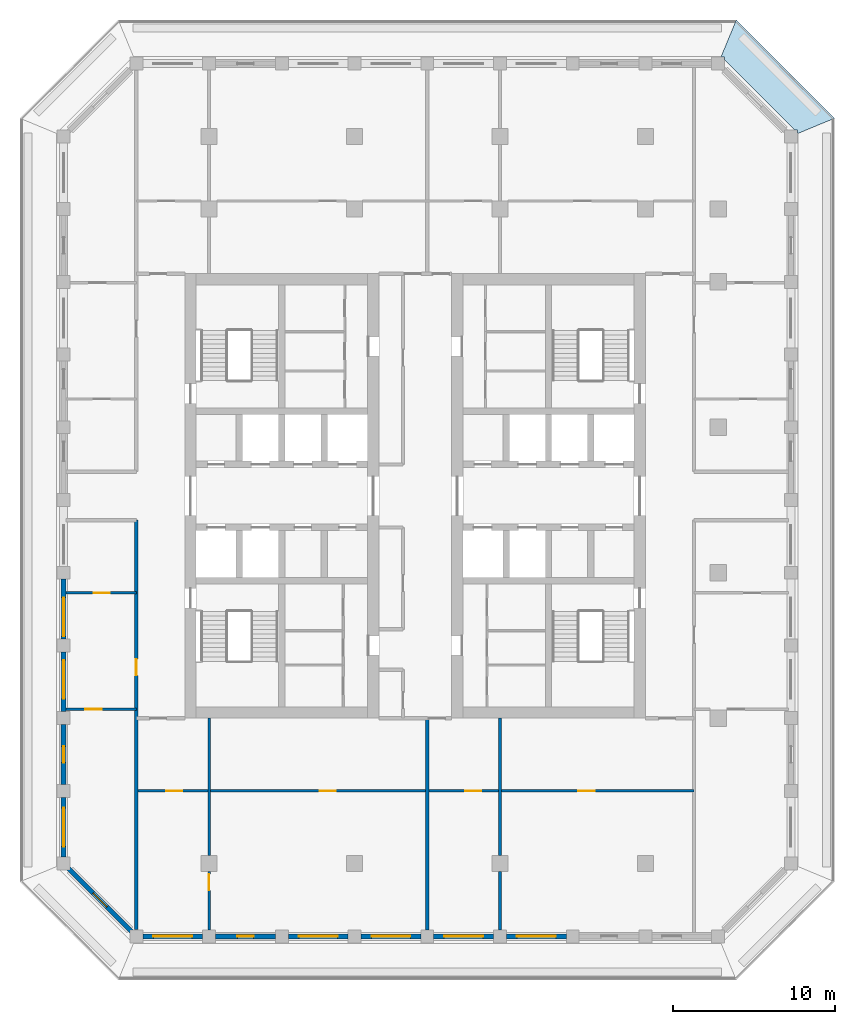
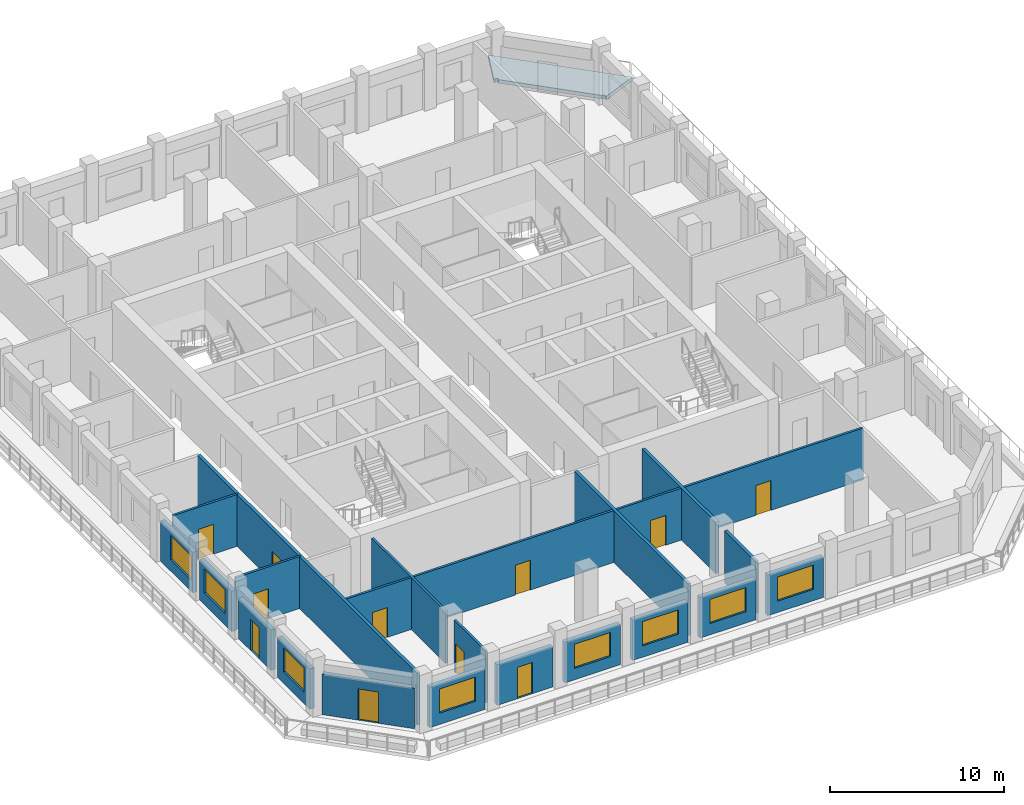
# One storey, part 2 of 17: 20 walls, 11 doors, 8 windows, 1 slab, 19 openings.
"""IFC4 building model written with IfcOpenShell, lengths in metres."""

import ifcopenshell
import ifcopenshell.guid

model = None  # the IFC model being written
_history = None  # IfcOwnerHistory: only IFC2X3 demands one
_inside = {}  # id of a spatial element -> (the spatial element, [elements in it])
_under = {}  # id of a project, library or spatial element -> (it, [spatial elements below it])
_declared = {}  # id of a project -> (the project, [libraries it declares])
_typed = {}  # id of a type object -> (the type object, [elements of that type])
_made_of = {}  # id of a material, layer set ... -> (it, [elements and type objects made of it])


def new_model(schema):
    """Start an empty IFC model of exactly this schema.

    Asked for "IFC4X3", IfcOpenShell would pick the latest addendum, in which some entities
    have other attributes; the version numbers below select the first issue.
    IFC2X3 requires an IfcOwnerHistory on every rooted entity: one is made here for all.
    """
    global model, _history
    if schema == "IFC4X3":
        model = ifcopenshell.file(schema_version=(4, 3, 0, 0))
    else:
        model = ifcopenshell.file(schema=schema)
    _inside.clear()
    _under.clear()
    _declared.clear()
    _typed.clear()
    _made_of.clear()
    _history = None
    if model.schema == "IFC2X3":
        org = make("IfcOrganization", Name="unknown")
        user = make(
            "IfcPersonAndOrganization",
            ThePerson=make("IfcPerson", FamilyName="unknown"),
            TheOrganization=org,
        )
        app = make(
            "IfcApplication",
            ApplicationDeveloper=org,
            Version="unknown",
            ApplicationFullName="unknown",
            ApplicationIdentifier="unknown",
        )
        _history = make(
            "IfcOwnerHistory",
            OwningUser=user,
            OwningApplication=app,
            ChangeAction="ADDED",
            CreationDate=0,
        )
    return model


def make(cls, **values):
    """One entity of the class cls with the attributes given. An attribute that is None is left unset."""
    return model.create_entity(
        cls, **{name: value for name, value in values.items() if value is not None}
    )


def rooted(cls, **values):
    """An entity with a GlobalId (a new one), such as an element, a storey or a relation."""
    return make(cls, GlobalId=ifcopenshell.guid.new(), OwnerHistory=_history, **values)


def si_unit(unit_type, name, prefix=None):
    """IfcSIUnit, for example si_unit("LENGTHUNIT", "METRE", prefix="MILLI")."""
    return make("IfcSIUnit", UnitType=unit_type, Prefix=prefix, Name=name)


def assignment(units):
    """IfcUnitAssignment: the units of a project."""
    return None if units is None else make("IfcUnitAssignment", Units=units)


def point(xyz):
    """IfcCartesianPoint."""
    return None if xyz is None else make("IfcCartesianPoint", Coordinates=xyz)


def direction(xyz):
    """IfcDirection."""
    return None if xyz is None else make("IfcDirection", DirectionRatios=xyz)


def frame(location, z_axis=None, x_axis=None):
    """IfcAxis2Placement3D, a coordinate frame: its origin and axes. An axis left out is left unset."""
    return make(
        "IfcAxis2Placement3D",
        Location=point(location),
        Axis=direction(z_axis),
        RefDirection=direction(x_axis),
    )


def frame_2d(location, x_axis=None):
    """IfcAxis2Placement2D, a coordinate frame in the plane: its origin and x axis."""
    return make(
        "IfcAxis2Placement2D", Location=point(location), RefDirection=direction(x_axis)
    )


def origin():
    """The frame at (0, 0, 0) with its axes left unset."""
    return frame((0.0, 0.0, 0.0))


def place(relative_to, where):
    """IfcLocalPlacement: puts the frame where relative to a parent placement (None: the world)."""
    return make(
        "IfcLocalPlacement", PlacementRelTo=relative_to, RelativePlacement=where
    )


def context(
    kind, dimensions, precision=None, world=None, true_north=None, identifier=None
):
    """IfcGeometricRepresentationContext, for example the 3D "Model" context."""
    return make(
        "IfcGeometricRepresentationContext",
        ContextIdentifier=identifier,
        ContextType=kind,
        CoordinateSpaceDimension=dimensions,
        Precision=precision,
        WorldCoordinateSystem=world,
        TrueNorth=true_north,
    )


def subcontext(parent, identifier, kind, view, scale=None):
    """IfcGeometricRepresentationSubContext, for example "Body" below "Model"."""
    return make(
        "IfcGeometricRepresentationSubContext",
        ContextIdentifier=identifier,
        ContextType=kind,
        ParentContext=parent,
        TargetScale=scale,
        TargetView=view,
    )


def project(units=None, contexts=None):
    """IfcProject with its units and contexts."""
    return rooted(
        "IfcProject",
        Name="project",
        RepresentationContexts=contexts,
        UnitsInContext=assignment(units),
    )


def spatial(cls, under=None, at=None, **own):
    """A site, building, storey or space (cls), placed at a placement, below another one or the project."""
    s = rooted(cls, ObjectPlacement=at, **own)
    if under is not None:
        _under.setdefault(under.id(), (under, []))[1].append(s)
    return s


def polyline(points):
    """IfcPolyline through the points."""
    return make("IfcPolyline", Points=[point(p) for p in points])


def profile(cls, at=None, kind="AREA", **sizes):
    """A parametric profile (cls). Its sizes go by their IFC names, for example OverallWidth=200.0."""
    return make(cls, ProfileType=kind, Position=at, **sizes)


def rectangle(**sizes):
    """IfcRectangleProfileDef."""
    return profile("IfcRectangleProfileDef", **sizes)


def outline(outer, holes=None, kind="AREA"):
    """IfcArbitraryClosedProfileDef: a profile drawn as a closed curve; with holes, ...WithVoids."""
    if holes is None:
        return make("IfcArbitraryClosedProfileDef", ProfileType=kind, OuterCurve=outer)
    return make(
        "IfcArbitraryProfileDefWithVoids",
        ProfileType=kind,
        OuterCurve=outer,
        InnerCurves=holes,
    )


def extrude(swept, where, along, depth):
    """IfcExtrudedAreaSolid: the profile swept, set in the frame where, extruded along a direction by depth."""
    return make(
        "IfcExtrudedAreaSolid",
        SweptArea=swept,
        Position=where,
        ExtrudedDirection=direction(along),
        Depth=depth,
    )


def shape(context_of_items, identifier, shape_type, items):
    """IfcShapeRepresentation: the items that make up one representation, for example the "Body"."""
    return make(
        "IfcShapeRepresentation",
        ContextOfItems=context_of_items,
        RepresentationIdentifier=identifier,
        RepresentationType=shape_type,
        Items=items,
    )


def material(Name=None, Category=None):
    """IfcMaterial."""
    return make("IfcMaterial", Name=Name, Category=Category)


def layer(
    of_material, thickness, ventilated=None, Name=None, Category=None, Priority=None
):
    """IfcMaterialLayer: one layer of a wall or slab, of a material (None: an air gap)."""
    return make(
        "IfcMaterialLayer",
        Material=of_material,
        LayerThickness=thickness,
        IsVentilated=ventilated,
        Name=Name,
        Category=Category,
        Priority=Priority,
    )


def layer_set(layers, Name=None):
    """IfcMaterialLayerSet."""
    return make("IfcMaterialLayerSet", MaterialLayers=layers, LayerSetName=Name)


def made_of(thing, what):
    """Note that an element or type object is made of a material, layer set ...; save() writes the relation."""
    if what is not None:
        _made_of.setdefault(what.id(), (what, []))[1].append(thing)
    return thing


def type_object(cls, material=None, **own):
    """A type object (cls), such as IfcWallType, which elements share."""
    return made_of(rooted(cls, **own), material)


def element(
    cls,
    number,
    at=None,
    inside=None,
    cuts=None,
    type_object=None,
    material=None,
    context=None,
    identifier="Body",
    shape_type=None,
    held_by="IfcProductDefinitionShape",
    body=None,
    shapes=None,
    **own,
):
    """One element of the class cls, such as IfcWall. Its Tag is "e" and its number.

    at: its placement. inside: the storey or other place that contains it. cuts: it is an
    opening in that element (IfcRelVoidsElement). A single representation is given by context,
    identifier, shape_type and body (its items); several are given by shapes. held_by: the class
    of the entity that holds the representations. save() writes the other relations.
    """
    e = rooted(cls, Tag="e%d" % number, ObjectPlacement=at, **own)
    if body is not None:
        shapes = [shape(context, identifier, shape_type, body)]
    if shapes is not None:
        e.Representation = make(held_by, Representations=shapes)
    if inside is not None:
        _inside.setdefault(inside.id(), (inside, []))[1].append(e)
    if cuts is not None:
        rooted(
            "IfcRelVoidsElement", RelatingBuildingElement=cuts, RelatedOpeningElement=e
        )
    if type_object is not None:
        _typed.setdefault(type_object.id(), (type_object, []))[1].append(e)
    return made_of(e, material)


def fill(opening, filler):
    """IfcRelFillsElement: the door or window that sits in an opening."""
    return rooted(
        "IfcRelFillsElement",
        RelatingOpeningElement=opening,
        RelatedBuildingElement=filler,
    )


def aggregate(whole, parts):
    """IfcRelAggregates: a whole, such as a stair, and the parts it consists of."""
    return rooted("IfcRelAggregates", RelatingObject=whole, RelatedObjects=parts)


def save(model, path):
    """Write the relations noted so far, then the file.

    IfcRelAggregates (storeys below a building ...), IfcRelContainedInSpatialStructure (elements
    in a storey), IfcRelDefinesByType, IfcRelAssociatesMaterial and IfcRelDeclares: one each for
    every whole, place, type object, material and project.
    """
    for whole, parts in _under.values():
        aggregate(whole, parts)
    for where, things in _inside.values():
        rooted(
            "IfcRelContainedInSpatialStructure",
            RelatedElements=things,
            RelatingStructure=where,
        )
    for kind, things in _typed.values():
        rooted("IfcRelDefinesByType", RelatedObjects=things, RelatingType=kind)
    for what, things in _made_of.values():
        rooted("IfcRelAssociatesMaterial", RelatedObjects=things, RelatingMaterial=what)
    for by, libraries in _declared.values():
        rooted("IfcRelDeclares", RelatingContext=by, RelatedDefinitions=libraries)
    model.write(path)


model = new_model("IFC4")

# Units and contexts
model_context = context("Model", 3, precision=1e-05, world=origin(), true_north=direction((0.0, 1.0)))
body_context = subcontext(model_context, "Body", "Model", "MODEL_VIEW")
ifc_project = project(units=[si_unit("LENGTHUNIT", "METRE"), si_unit("AREAUNIT", "SQUARE_METRE"), si_unit("VOLUMEUNIT", "CUBIC_METRE"), si_unit("PLANEANGLEUNIT", "RADIAN"), si_unit("MASSUNIT", "GRAM", prefix="KILO")], contexts=[model_context])

# Site, building, storey
site_placement = place(None, origin())
site = spatial("IfcSite", under=ifc_project, at=site_placement, CompositionType="ELEMENT")
building_placement = place(site_placement, origin())
building = spatial("IfcBuilding", under=site, at=building_placement, Name="Corbel Stack Research Tower", CompositionType="ELEMENT")
storey_placement = place(building_placement, frame((0.0, 0.0, 252.10009765625)))
storey = spatial("IfcBuildingStorey", under=building, at=storey_placement, Name="L57", CompositionType="ELEMENT", Elevation=252.10009765625)

# Slab
ifc_material_1 = material(Name="Concrete C45/55", Category="concrete")
ifc_layer_1 = layer(ifc_material_1, 0.25)
ifc_layer_set_1 = layer_set([ifc_layer_1], Name="Concrete C45/55")
slab_type = type_object("IfcSlabType", Name="PT balcony slab 250 C45/55", PredefinedType="FLOOR", material=ifc_layer_set_1)
slab_placement = place(storey_placement, frame((0.0, 0.0, -0.25)))
element("IfcSlab", 1, at=slab_placement, inside=storey, type_object=slab_type, Name="Loggia slab L57 NE", PredefinedType="FLOOR", context=body_context, shape_type="SweptSolid", body=[
    extrude(outline(polyline([(22.686279296875, 31.949951171875), (22.736328125, 31.89990234375), (22.89990234375, 31.89990234375), (22.89990234375, 31.736328125), (27.236328125, 27.39990234375), (27.39990234375, 27.39990234375), (27.39990234375, 27.236328125), (27.449951171875, 27.186279296875), (29.699951171875, 28.118408203125), (23.618408203125, 34.199951171875), (22.686279296875, 31.949951171875)])), origin(), (0.0, 0.0, 1.0), 0.25),
])

# Wall, opening, door
ifc_material_2 = material(Name="Fire-rated gypsum board partition on steel studs", Category="steel")
ifc_layer_2 = layer(ifc_material_2, 0.14990234375)
ifc_layer_set_2 = layer_set([ifc_layer_2], Name="Fire-rated gypsum board partition on steel studs")
wall_type_1 = type_object("IfcWallType", Name="Fire-rated partition 150 EI 60", PredefinedType="PARTITIONING", material=ifc_layer_set_2)
wall_1_placement = place(storey_placement, frame((-9.0, -18.5, 0.0), z_axis=(0.0, 0.0, 1.0), x_axis=(0.0, -1.0, 0.0)))
wall_1 = element("IfcWall", 2, at=wall_1_placement, inside=storey, type_object=wall_type_1, Name="Partition L57-003", PredefinedType="PARTITIONING", context=body_context, shape_type="SweptSolid", body=[
    extrude(rectangle(XDim=3.60009765625, YDim=0.14990234375, at=frame_2d((1.800048828125, 0.0))), origin(), (0.0, 0.0, 1.0), 3.64990234375),
])
opening_1_placement = place(wall_1_placement, frame((0.14990234375, 0.0, 0.0)))
opening_1 = element("IfcOpeningElement", 3, at=opening_1_placement, cuts=wall_1, Name="Opening B7V1-007", PredefinedType="OPENING", context=body_context, shape_type="SweptSolid", body=[
    extrude(rectangle(XDim=1.0, YDim=2.10009765625, at=frame_2d((0.5, 1.050048828125))), frame((0.0, 0.0849609375, 0.0), z_axis=(0.0, -1.0, 0.0), x_axis=(1.0, 0.0, 0.0)), (0.0, 0.0, 1.0), 0.169921875),
])
ifc_material_3 = material(Name="Painted steel fire door", Category="steel")
door_type_1 = type_object("IfcDoorType", Name="Fire door FD30S 1000 x 2100", OperationType="NOTDEFINED", PredefinedType="DOOR", material=ifc_material_3)
door_1_placement = place(opening_1_placement, origin())
door_1 = element("IfcDoor", 4, at=door_1_placement, inside=storey, type_object=door_type_1, Name="Door B7V1-007", OperationType="SINGLE_SWING_LEFT", OverallHeight=2.10009765625, OverallWidth=1.0, PredefinedType="DOOR", context=body_context, shape_type="SweptSolid", body=[
    extrude(rectangle(XDim=1.0, YDim=2.10009765625, at=frame_2d((0.5, 1.050048828125))), frame((0.0, 0.02490234375, 0.0), z_axis=(0.0, -1.0, 0.0), x_axis=(1.0, 0.0, 0.0)), (0.0, 0.0, 1.0), 0.050048828125),
])
fill(opening_1, door_1)

ifc_material_4 = material(Name="Fire-rated gypsum board partition on steel studs", Category="steel")
ifc_layer_3 = layer(ifc_material_4, 0.199951171875)
ifc_layer_set_3 = layer_set([ifc_layer_3], Name="Fire-rated gypsum board partition on steel studs")
wall_type_2 = type_object("IfcWallType", Name="Fire-rated partition 200 EI 60", PredefinedType="PARTITIONING", material=ifc_layer_set_3)
wall_2_placement = place(storey_placement, frame((-13.5, -22.0771484375, 0.0), z_axis=(0.0, 0.0, 1.0), x_axis=(0.0, 1.0, 0.0)))
wall_2 = element("IfcWall", 5, at=wall_2_placement, inside=storey, type_object=wall_type_2, Name="Partition L57-001", PredefinedType="PARTITIONING", context=body_context, shape_type="SweptSolid", body=[
    extrude(rectangle(XDim=25.3271484375, YDim=0.199951171875, at=frame_2d((12.66357421875, 0.0))), origin(), (0.0, 0.0, 1.0), 3.64990234375),
])
opening_2_placement = place(wall_2_placement, frame((15.727294921875, 0.0, 0.0)))
opening_2 = element("IfcOpeningElement", 6, at=opening_2_placement, cuts=wall_2, Name="Opening B7V1-002", PredefinedType="OPENING", context=body_context, shape_type="SweptSolid", body=[
    extrude(rectangle(XDim=1.0, YDim=2.10009765625, at=frame_2d((0.5, 1.050048828125))), frame((0.0, 0.10986328125, 0.0), z_axis=(0.0, -1.0, 0.0), x_axis=(1.0, 0.0, 0.0)), (0.0, 0.0, 1.0), 0.219970703125),
])
door_2_placement = place(opening_2_placement, origin())
door_2 = element("IfcDoor", 7, at=door_2_placement, inside=storey, type_object=door_type_1, Name="Door B7V1-002", OperationType="SINGLE_SWING_RIGHT", OverallHeight=2.10009765625, OverallWidth=1.0, PredefinedType="DOOR", context=body_context, shape_type="SweptSolid", body=[
    extrude(rectangle(XDim=1.0, YDim=2.10009765625, at=frame_2d((0.5, 1.050048828125))), frame((0.0, 0.02490234375, 0.0), z_axis=(0.0, -1.0, 0.0), x_axis=(1.0, 0.0, 0.0)), (0.0, 0.0, 1.0), 0.050048828125),
])
fill(opening_2, door_2)

# Walls
wall_3_placement = place(storey_placement, frame((4.5, -22.10009765625, 0.0), z_axis=(0.0, 0.0, 1.0), x_axis=(0.0, 1.0, 0.0)))
element("IfcWall", 8, at=wall_3_placement, inside=storey, type_object=wall_type_2, Name="Partition L57-011", PredefinedType="PARTITIONING", context=body_context, shape_type="SweptSolid", body=[
    extrude(rectangle(XDim=13.10009765625, YDim=0.199951171875, at=frame_2d((6.550048828125, 0.0))), origin(), (0.0, 0.0, 1.0), 3.64990234375),
])
wall_4_placement = place(storey_placement, frame((9.0, -22.10009765625, 0.0), z_axis=(0.0, 0.0, 1.0), x_axis=(0.0, 1.0, 0.0)))
element("IfcWall", 9, at=wall_4_placement, inside=storey, type_object=wall_type_2, Name="Partition L57-013", PredefinedType="PARTITIONING", context=body_context, shape_type="SweptSolid", body=[
    extrude(rectangle(XDim=3.60009765625, YDim=0.199951171875, at=frame_2d((1.800048828125, 0.0))), origin(), (0.0, 0.0, 1.0), 3.64990234375),
])
wall_5_placement = place(storey_placement, frame((9.0, -17.5, 0.0), z_axis=(0.0, 0.0, 1.0), x_axis=(0.0, 1.0, 0.0)))
element("IfcWall", 10, at=wall_5_placement, inside=storey, type_object=wall_type_2, Name="Partition L57-014", PredefinedType="PARTITIONING", context=body_context, shape_type="SweptSolid", body=[
    extrude(rectangle(XDim=8.5, YDim=0.199951171875, at=frame_2d((4.25, 0.0))), origin(), (0.0, 0.0, 1.0), 3.64990234375),
])
ifc_material_5 = material(Name="Gypsum board partition on steel studs", Category="steel")
ifc_layer_4 = layer(ifc_material_5, 0.14990234375)
ifc_layer_set_4 = layer_set([ifc_layer_4], Name="Gypsum board partition on steel studs")
wall_type_3 = type_object("IfcWallType", Name="Partition 150", PredefinedType="PARTITIONING", material=ifc_layer_set_4)
wall_6_placement = place(storey_placement, frame((-9.0, -17.5, 0.0), z_axis=(0.0, 0.0, 1.0), x_axis=(0.0, 1.0, 0.0)))
element("IfcWall", 11, at=wall_6_placement, inside=storey, type_object=wall_type_3, Name="Partition L57-004", PredefinedType="PARTITIONING", context=body_context, shape_type="SweptSolid", body=[
    extrude(rectangle(XDim=8.5, YDim=0.14990234375, at=frame_2d((4.25, 0.0))), origin(), (0.0, 0.0, 1.0), 3.64990234375),
])

# Wall, openings, doors
wall_7_placement = place(storey_placement, frame((21.0, -13.5, 0.0), z_axis=(0.0, 0.0, 1.0), x_axis=(-1.0, 0.0, 0.0)))
wall_7 = element("IfcWall", 12, at=wall_7_placement, inside=storey, type_object=wall_type_3, Name="Partition L57-020", PredefinedType="PARTITIONING", context=body_context, shape_type="SweptSolid", body=[
    extrude(rectangle(XDim=34.5, YDim=0.14990234375, at=frame_2d((17.25, 0.0))), origin(), (0.0, 0.0, 1.0), 3.64990234375),
])
opening_3_placement = place(wall_7_placement, frame((31.64990234375, 0.0, 0.0)))
opening_3 = element("IfcOpeningElement", 13, at=opening_3_placement, cuts=wall_7, Name="Opening B7V1-001", PredefinedType="OPENING", context=body_context, shape_type="SweptSolid", body=[
    extrude(rectangle(XDim=1.0, YDim=2.10009765625, at=frame_2d((0.5, 1.050048828125))), frame((0.0, 0.0849609375, 0.0), z_axis=(0.0, -1.0, 0.0), x_axis=(1.0, 0.0, 0.0)), (0.0, 0.0, 1.0), 0.169921875),
])
opening_4_placement = place(wall_7_placement, frame((22.14990234375, 0.0, 0.0)))
opening_4 = element("IfcOpeningElement", 14, at=opening_4_placement, cuts=wall_7, Name="Opening B7V1-003", PredefinedType="OPENING", context=body_context, shape_type="SweptSolid", body=[
    extrude(rectangle(XDim=1.0, YDim=2.10009765625, at=frame_2d((0.5, 1.050048828125))), frame((0.0, 0.0849609375, 0.0), z_axis=(0.0, -1.0, 0.0), x_axis=(1.0, 0.0, 0.0)), (0.0, 0.0, 1.0), 0.169921875),
])
opening_5_placement = place(wall_7_placement, frame((13.14990234375, 0.0, 0.0)))
opening_5 = element("IfcOpeningElement", 15, at=opening_5_placement, cuts=wall_7, Name="Opening B7V1-004", PredefinedType="OPENING", context=body_context, shape_type="SweptSolid", body=[
    extrude(rectangle(XDim=1.0, YDim=2.10009765625, at=frame_2d((0.5, 1.050048828125))), frame((0.0, 0.0849609375, 0.0), z_axis=(0.0, -1.0, 0.0), x_axis=(1.0, 0.0, 0.0)), (0.0, 0.0, 1.0), 0.169921875),
])
opening_6_placement = place(wall_7_placement, frame((6.14990234375, 0.0, 0.0)))
opening_6 = element("IfcOpeningElement", 16, at=opening_6_placement, cuts=wall_7, Name="Opening B7V1-005", PredefinedType="OPENING", context=body_context, shape_type="SweptSolid", body=[
    extrude(rectangle(XDim=1.0, YDim=2.10009765625, at=frame_2d((0.5, 1.050048828125))), frame((0.0, 0.0849609375, 0.0), z_axis=(0.0, -1.0, 0.0), x_axis=(1.0, 0.0, 0.0)), (0.0, 0.0, 1.0), 0.169921875),
])
ifc_material_6 = material(Name="Painted timber door", Category="wood")
door_type_2 = type_object("IfcDoorType", Name="Single door 1000 x 2100", OperationType="NOTDEFINED", PredefinedType="DOOR", material=ifc_material_6)
door_3_placement = place(opening_3_placement, origin())
door_3 = element("IfcDoor", 17, at=door_3_placement, inside=storey, type_object=door_type_2, Name="Door B7V1-001", OperationType="SINGLE_SWING_RIGHT", OverallHeight=2.10009765625, OverallWidth=1.0, PredefinedType="DOOR", context=body_context, shape_type="SweptSolid", body=[
    extrude(rectangle(XDim=1.0, YDim=2.10009765625, at=frame_2d((0.5, 1.050048828125))), frame((0.0, 0.02490234375, 0.0), z_axis=(0.0, -1.0, 0.0), x_axis=(1.0, 0.0, 0.0)), (0.0, 0.0, 1.0), 0.050048828125),
])
fill(opening_3, door_3)
door_4_placement = place(opening_4_placement, origin())
door_4 = element("IfcDoor", 18, at=door_4_placement, inside=storey, type_object=door_type_2, Name="Door B7V1-003", OperationType="SINGLE_SWING_RIGHT", OverallHeight=2.10009765625, OverallWidth=1.0, PredefinedType="DOOR", context=body_context, shape_type="SweptSolid", body=[
    extrude(rectangle(XDim=1.0, YDim=2.10009765625, at=frame_2d((0.5, 1.050048828125))), frame((0.0, 0.02490234375, 0.0), z_axis=(0.0, -1.0, 0.0), x_axis=(1.0, 0.0, 0.0)), (0.0, 0.0, 1.0), 0.050048828125),
])
fill(opening_4, door_4)
door_5_placement = place(opening_5_placement, origin())
door_5 = element("IfcDoor", 19, at=door_5_placement, inside=storey, type_object=door_type_2, Name="Door B7V1-004", OperationType="SINGLE_SWING_LEFT", OverallHeight=2.10009765625, OverallWidth=1.0, PredefinedType="DOOR", context=body_context, shape_type="SweptSolid", body=[
    extrude(rectangle(XDim=1.0, YDim=2.10009765625, at=frame_2d((0.5, 1.050048828125))), frame((0.0, 0.02490234375, 0.0), z_axis=(0.0, -1.0, 0.0), x_axis=(1.0, 0.0, 0.0)), (0.0, 0.0, 1.0), 0.050048828125),
])
fill(opening_5, door_5)
door_6_placement = place(opening_6_placement, origin())
door_6 = element("IfcDoor", 20, at=door_6_placement, inside=storey, type_object=door_type_2, Name="Door B7V1-005", OperationType="SINGLE_SWING_LEFT", OverallHeight=2.10009765625, OverallWidth=1.0, PredefinedType="DOOR", context=body_context, shape_type="SweptSolid", body=[
    extrude(rectangle(XDim=1.0, YDim=2.10009765625, at=frame_2d((0.5, 1.050048828125))), frame((0.0, 0.02490234375, 0.0), z_axis=(0.0, -1.0, 0.0), x_axis=(1.0, 0.0, 0.0)), (0.0, 0.0, 1.0), 0.050048828125),
])
fill(opening_6, door_6)

# Wall, opening, door
wall_8_placement = place(storey_placement, frame((-13.5, -8.449951171875, 0.0), z_axis=(0.0, 0.0, 1.0), x_axis=(-1.0, 0.0, 0.0)))
wall_8 = element("IfcWall", 21, at=wall_8_placement, inside=storey, type_object=wall_type_3, Name="Partition L57-024", PredefinedType="PARTITIONING", context=body_context, shape_type="SweptSolid", body=[
    extrude(rectangle(XDim=4.35009765625, YDim=0.14990234375, at=frame_2d((2.175048828125, 0.0))), origin(), (0.0, 0.0, 1.0), 3.64990234375),
])
opening_7_placement = place(wall_8_placement, frame((2.14990234375, 0.0, 0.0)))
opening_7 = element("IfcOpeningElement", 22, at=opening_7_placement, cuts=wall_8, Name="Opening B7V1-011", PredefinedType="OPENING", context=body_context, shape_type="SweptSolid", body=[
    extrude(rectangle(XDim=1.0, YDim=2.10009765625, at=frame_2d((0.5, 1.050048828125))), frame((0.0, 0.0849609375, 0.0), z_axis=(0.0, -1.0, 0.0), x_axis=(1.0, 0.0, 0.0)), (0.0, 0.0, 1.0), 0.169921875),
])
door_7_placement = place(opening_7_placement, origin())
door_7 = element("IfcDoor", 23, at=door_7_placement, inside=storey, type_object=door_type_2, Name="Door B7V1-011", OperationType="SINGLE_SWING_RIGHT", OverallHeight=2.10009765625, OverallWidth=1.0, PredefinedType="DOOR", context=body_context, shape_type="SweptSolid", body=[
    extrude(rectangle(XDim=1.0, YDim=2.10009765625, at=frame_2d((0.5, 1.050048828125))), frame((0.0, 0.02490234375, 0.0), z_axis=(0.0, -1.0, 0.0), x_axis=(1.0, 0.0, 0.0)), (0.0, 0.0, 1.0), 0.050048828125),
])
fill(opening_7, door_7)

wall_9_placement = place(storey_placement, frame((-17.85009765625, -1.25, 0.0), z_axis=(0.0, 0.0, 1.0), x_axis=(1.0, 0.0, 0.0)))
wall_9 = element("IfcWall", 24, at=wall_9_placement, inside=storey, type_object=wall_type_3, Name="Partition L57-029", PredefinedType="PARTITIONING", context=body_context, shape_type="SweptSolid", body=[
    extrude(rectangle(XDim=4.35009765625, YDim=0.14990234375, at=frame_2d((2.175048828125, 0.0))), origin(), (0.0, 0.0, 1.0), 3.64990234375),
])
opening_8_placement = place(wall_9_placement, frame((1.699951171875, 0.0, 0.0)))
opening_8 = element("IfcOpeningElement", 25, at=opening_8_placement, cuts=wall_9, Name="Opening B7V1-013", PredefinedType="OPENING", context=body_context, shape_type="SweptSolid", body=[
    extrude(rectangle(XDim=1.0, YDim=2.10009765625, at=frame_2d((0.5, 1.050048828125))), frame((0.0, 0.0849609375, 0.0), z_axis=(0.0, -1.0, 0.0), x_axis=(1.0, 0.0, 0.0)), (0.0, 0.0, 1.0), 0.169921875),
])
door_8_placement = place(opening_8_placement, origin())
door_8 = element("IfcDoor", 26, at=door_8_placement, inside=storey, type_object=door_type_2, Name="Door B7V1-013", OperationType="SINGLE_SWING_LEFT", OverallHeight=2.10009765625, OverallWidth=1.0, PredefinedType="DOOR", context=body_context, shape_type="SweptSolid", body=[
    extrude(rectangle(XDim=1.0, YDim=2.10009765625, at=frame_2d((0.5, 1.050048828125))), frame((0.0, 0.02490234375, 0.0), z_axis=(0.0, -1.0, 0.0), x_axis=(1.0, 0.0, 0.0)), (0.0, 0.0, 1.0), 0.050048828125),
])
fill(opening_8, door_8)

# Wall, opening, window
ifc_material_7 = material(Name="Concrete C45/55", Category="concrete")
ifc_layer_5 = layer(ifc_material_7, 0.300048828125)
ifc_layer_set_5 = layer_set([ifc_layer_5], Name="Concrete C45/55")
wall_type_4 = type_object("IfcWallType", Name="Terracotta-faced concrete wall 300", PredefinedType="SOLIDWALL", material=ifc_layer_set_5)
wall_10_placement = place(storey_placement, frame((-9.39990234375, -22.5, 0.0), z_axis=(0.0, 0.0, 1.0), x_axis=(-1.0, 0.0, 0.0)))
wall_10 = element("IfcWall", 27, at=wall_10_placement, inside=storey, type_object=wall_type_4, Name="Facade wall L57 S01", PredefinedType="SOLIDWALL", context=body_context, shape_type="SweptSolid", body=[
    extrude(rectangle(XDim=3.7001953125, YDim=0.300048828125, at=frame_2d((1.85009765625, 0.0))), origin(), (0.0, 0.0, 1.0), 2.849853515625),
])
opening_9_placement = place(wall_10_placement, frame((0.64990234375, 0.0, 0.800048828125)))
opening_9 = element("IfcOpeningElement", 28, at=opening_9_placement, cuts=wall_10, Name="Opening W1", PredefinedType="OPENING", context=body_context, shape_type="SweptSolid", body=[
    extrude(rectangle(XDim=2.39990234375, YDim=1.699951171875, at=frame_2d((1.199951171875, 0.85009765625))), frame((0.0, 0.159912109375, 0.0), z_axis=(0.0, -1.0, 0.0), x_axis=(1.0, 0.0, 0.0)), (0.0, 0.0, 1.0), 0.320068359375),
])
ifc_material_8 = material(Name="Aluminium frame, clear double glazing", Category="aluminium")
window_type = type_object("IfcWindowType", Name="Window W1 2400 x 1700", PartitioningType="SINGLE_PANEL", PredefinedType="WINDOW", material=ifc_material_8)
window_1_placement = place(opening_9_placement, origin())
window_1 = element("IfcWindow", 29, at=window_1_placement, inside=storey, type_object=window_type, Name="Window W1 L57 S01", OverallHeight=1.699951171875, OverallWidth=2.39990234375, PartitioningType="SINGLE_PANEL", PredefinedType="WINDOW", context=body_context, shape_type="SweptSolid", body=[
    extrude(rectangle(XDim=2.39990234375, YDim=1.699951171875, at=frame_2d((1.199951171875, 0.85009765625))), frame((0.0, 0.030029296875, 0.0), z_axis=(0.0, -1.0, 0.0), x_axis=(1.0, 0.0, 0.0)), (0.0, 0.0, 1.0), 0.06005859375),
])
fill(opening_9, window_1)

# Wall, opening, door
wall_11_placement = place(storey_placement, frame((-4.89990234375, -22.5, 0.0), z_axis=(0.0, 0.0, 1.0), x_axis=(-1.0, 0.0, 0.0)))
wall_11 = element("IfcWall", 30, at=wall_11_placement, inside=storey, type_object=wall_type_4, Name="Facade wall L57 S02", PredefinedType="SOLIDWALL", context=body_context, shape_type="SweptSolid", body=[
    extrude(rectangle(XDim=3.7001953125, YDim=0.300048828125, at=frame_2d((1.85009765625, 0.0))), origin(), (0.0, 0.0, 1.0), 2.849853515625),
])
opening_10_placement = place(wall_11_placement, frame((1.35009765625, 0.0, 0.0)))
opening_10 = element("IfcOpeningElement", 31, at=opening_10_placement, cuts=wall_11, Name="Opening L57-B01", PredefinedType="OPENING", context=body_context, shape_type="SweptSolid", body=[
    extrude(rectangle(XDim=1.0, YDim=2.199951171875, at=frame_2d((0.5, 1.10009765625))), frame((0.0, 0.159912109375, 0.0), z_axis=(0.0, -1.0, 0.0), x_axis=(1.0, 0.0, 0.0)), (0.0, 0.0, 1.0), 0.320068359375),
])
ifc_material_9 = material(Name="Aluminium frame, clear double glazing", Category="aluminium")
door_type_3 = type_object("IfcDoorType", Name="Balcony door BD1 1000 x 2200", OperationType="NOTDEFINED", PredefinedType="DOOR", material=ifc_material_9)
door_9_placement = place(opening_10_placement, origin())
door_9 = element("IfcDoor", 32, at=door_9_placement, inside=storey, type_object=door_type_3, Name="Balcony door L57-B01", OperationType="SINGLE_SWING_LEFT", OverallHeight=2.199951171875, OverallWidth=1.0, PredefinedType="DOOR", context=body_context, shape_type="SweptSolid", body=[
    extrude(rectangle(XDim=1.0, YDim=2.199951171875, at=frame_2d((0.5, 1.10009765625))), frame((0.0, 0.02490234375, 0.0), z_axis=(0.0, -1.0, 0.0), x_axis=(1.0, 0.0, 0.0)), (0.0, 0.0, 1.0), 0.050048828125),
])
fill(opening_10, door_9)

# Wall, opening, window
wall_12_placement = place(storey_placement, frame((-0.39990234375, -22.5, 0.0), z_axis=(0.0, 0.0, 1.0), x_axis=(-1.0, 0.0, 0.0)))
wall_12 = element("IfcWall", 33, at=wall_12_placement, inside=storey, type_object=wall_type_4, Name="Facade wall L57 S03", PredefinedType="SOLIDWALL", context=body_context, shape_type="SweptSolid", body=[
    extrude(rectangle(XDim=3.7001953125, YDim=0.300048828125, at=frame_2d((1.85009765625, 0.0))), origin(), (0.0, 0.0, 1.0), 2.849853515625),
])
opening_11_placement = place(wall_12_placement, frame((0.64990234375, 0.0, 0.800048828125)))
opening_11 = element("IfcOpeningElement", 34, at=opening_11_placement, cuts=wall_12, Name="Opening W1", PredefinedType="OPENING", context=body_context, shape_type="SweptSolid", body=[
    extrude(rectangle(XDim=2.39990234375, YDim=1.699951171875, at=frame_2d((1.199951171875, 0.85009765625))), frame((0.0, 0.159912109375, 0.0), z_axis=(0.0, -1.0, 0.0), x_axis=(1.0, 0.0, 0.0)), (0.0, 0.0, 1.0), 0.320068359375),
])
window_2_placement = place(opening_11_placement, origin())
window_2 = element("IfcWindow", 35, at=window_2_placement, inside=storey, type_object=window_type, Name="Window W1 L57 S03", OverallHeight=1.699951171875, OverallWidth=2.39990234375, PartitioningType="SINGLE_PANEL", PredefinedType="WINDOW", context=body_context, shape_type="SweptSolid", body=[
    extrude(rectangle(XDim=2.39990234375, YDim=1.699951171875, at=frame_2d((1.199951171875, 0.85009765625))), frame((0.0, 0.030029296875, 0.0), z_axis=(0.0, -1.0, 0.0), x_axis=(1.0, 0.0, 0.0)), (0.0, 0.0, 1.0), 0.06005859375),
])
fill(opening_11, window_2)

wall_13_placement = place(storey_placement, frame((4.10009765625, -22.5, 0.0), z_axis=(0.0, 0.0, 1.0), x_axis=(-1.0, 0.0, 0.0)))
wall_13 = element("IfcWall", 36, at=wall_13_placement, inside=storey, type_object=wall_type_4, Name="Facade wall L57 S04", PredefinedType="SOLIDWALL", context=body_context, shape_type="SweptSolid", body=[
    extrude(rectangle(XDim=3.7001953125, YDim=0.300048828125, at=frame_2d((1.85009765625, 0.0))), origin(), (0.0, 0.0, 1.0), 2.849853515625),
])
opening_12_placement = place(wall_13_placement, frame((0.64990234375, 0.0, 0.800048828125)))
opening_12 = element("IfcOpeningElement", 37, at=opening_12_placement, cuts=wall_13, Name="Opening W1", PredefinedType="OPENING", context=body_context, shape_type="SweptSolid", body=[
    extrude(rectangle(XDim=2.39990234375, YDim=1.699951171875, at=frame_2d((1.199951171875, 0.85009765625))), frame((0.0, 0.159912109375, 0.0), z_axis=(0.0, -1.0, 0.0), x_axis=(1.0, 0.0, 0.0)), (0.0, 0.0, 1.0), 0.320068359375),
])
window_3_placement = place(opening_12_placement, origin())
window_3 = element("IfcWindow", 38, at=window_3_placement, inside=storey, type_object=window_type, Name="Window W1 L57 S04", OverallHeight=1.699951171875, OverallWidth=2.39990234375, PartitioningType="SINGLE_PANEL", PredefinedType="WINDOW", context=body_context, shape_type="SweptSolid", body=[
    extrude(rectangle(XDim=2.39990234375, YDim=1.699951171875, at=frame_2d((1.199951171875, 0.85009765625))), frame((0.0, 0.030029296875, 0.0), z_axis=(0.0, -1.0, 0.0), x_axis=(1.0, 0.0, 0.0)), (0.0, 0.0, 1.0), 0.06005859375),
])
fill(opening_12, window_3)

wall_14_placement = place(storey_placement, frame((8.60009765625, -22.5, 0.0), z_axis=(0.0, 0.0, 1.0), x_axis=(-1.0, 0.0, 0.0)))
wall_14 = element("IfcWall", 39, at=wall_14_placement, inside=storey, type_object=wall_type_4, Name="Facade wall L57 S05", PredefinedType="SOLIDWALL", context=body_context, shape_type="SweptSolid", body=[
    extrude(rectangle(XDim=3.7001953125, YDim=0.300048828125, at=frame_2d((1.85009765625, 0.0))), origin(), (0.0, 0.0, 1.0), 2.849853515625),
])
opening_13_placement = place(wall_14_placement, frame((0.64990234375, 0.0, 0.800048828125)))
opening_13 = element("IfcOpeningElement", 40, at=opening_13_placement, cuts=wall_14, Name="Opening W1", PredefinedType="OPENING", context=body_context, shape_type="SweptSolid", body=[
    extrude(rectangle(XDim=2.39990234375, YDim=1.699951171875, at=frame_2d((1.199951171875, 0.85009765625))), frame((0.0, 0.159912109375, 0.0), z_axis=(0.0, -1.0, 0.0), x_axis=(1.0, 0.0, 0.0)), (0.0, 0.0, 1.0), 0.320068359375),
])
window_4_placement = place(opening_13_placement, origin())
window_4 = element("IfcWindow", 41, at=window_4_placement, inside=storey, type_object=window_type, Name="Window W1 L57 S05", OverallHeight=1.699951171875, OverallWidth=2.39990234375, PartitioningType="SINGLE_PANEL", PredefinedType="WINDOW", context=body_context, shape_type="SweptSolid", body=[
    extrude(rectangle(XDim=2.39990234375, YDim=1.699951171875, at=frame_2d((1.199951171875, 0.85009765625))), frame((0.0, 0.030029296875, 0.0), z_axis=(0.0, -1.0, 0.0), x_axis=(1.0, 0.0, 0.0)), (0.0, 0.0, 1.0), 0.06005859375),
])
fill(opening_13, window_4)

wall_15_placement = place(storey_placement, frame((13.10009765625, -22.5, 0.0), z_axis=(0.0, 0.0, 1.0), x_axis=(-1.0, 0.0, 0.0)))
wall_15 = element("IfcWall", 42, at=wall_15_placement, inside=storey, type_object=wall_type_4, Name="Facade wall L57 S06", PredefinedType="SOLIDWALL", context=body_context, shape_type="SweptSolid", body=[
    extrude(rectangle(XDim=3.7001953125, YDim=0.300048828125, at=frame_2d((1.85009765625, 0.0))), origin(), (0.0, 0.0, 1.0), 2.849853515625),
])
opening_14_placement = place(wall_15_placement, frame((0.64990234375, 0.0, 0.800048828125)))
opening_14 = element("IfcOpeningElement", 43, at=opening_14_placement, cuts=wall_15, Name="Opening W1", PredefinedType="OPENING", context=body_context, shape_type="SweptSolid", body=[
    extrude(rectangle(XDim=2.39990234375, YDim=1.699951171875, at=frame_2d((1.199951171875, 0.85009765625))), frame((0.0, 0.159912109375, 0.0), z_axis=(0.0, -1.0, 0.0), x_axis=(1.0, 0.0, 0.0)), (0.0, 0.0, 1.0), 0.320068359375),
])
window_5_placement = place(opening_14_placement, origin())
window_5 = element("IfcWindow", 44, at=window_5_placement, inside=storey, type_object=window_type, Name="Window W1 L57 S06", OverallHeight=1.699951171875, OverallWidth=2.39990234375, PartitioningType="SINGLE_PANEL", PredefinedType="WINDOW", context=body_context, shape_type="SweptSolid", body=[
    extrude(rectangle(XDim=2.39990234375, YDim=1.699951171875, at=frame_2d((1.199951171875, 0.85009765625))), frame((0.0, 0.030029296875, 0.0), z_axis=(0.0, -1.0, 0.0), x_axis=(1.0, 0.0, 0.0)), (0.0, 0.0, 1.0), 0.06005859375),
])
fill(opening_14, window_5)

wall_16_placement = place(storey_placement, frame((-18.0, -4.10009765625, 0.0), z_axis=(0.0, 0.0, 1.0), x_axis=(0.0, 1.0, 0.0)))
wall_16 = element("IfcWall", 45, at=wall_16_placement, inside=storey, type_object=wall_type_4, Name="Facade wall L57 W07", PredefinedType="SOLIDWALL", context=body_context, shape_type="SweptSolid", body=[
    extrude(rectangle(XDim=3.7001953125, YDim=0.300048828125, at=frame_2d((1.85009765625, 0.0))), origin(), (0.0, 0.0, 1.0), 2.849853515625),
])
opening_15_placement = place(wall_16_placement, frame((0.16259765625, 0.0, 0.800048828125)))
opening_15 = element("IfcOpeningElement", 46, at=opening_15_placement, cuts=wall_16, Name="Opening W1", PredefinedType="OPENING", context=body_context, shape_type="SweptSolid", body=[
    extrude(rectangle(XDim=2.39990234375, YDim=1.699951171875, at=frame_2d((1.199951171875, 0.85009765625))), frame((0.0, 0.159912109375, 0.0), z_axis=(0.0, -1.0, 0.0), x_axis=(1.0, 0.0, 0.0)), (0.0, 0.0, 1.0), 0.320068359375),
])
window_6_placement = place(opening_15_placement, origin())
window_6 = element("IfcWindow", 47, at=window_6_placement, inside=storey, type_object=window_type, Name="Window W1 L57 W07", OverallHeight=1.699951171875, OverallWidth=2.39990234375, PartitioningType="SINGLE_PANEL", PredefinedType="WINDOW", context=body_context, shape_type="SweptSolid", body=[
    extrude(rectangle(XDim=2.39990234375, YDim=1.699951171875, at=frame_2d((1.199951171875, 0.85009765625))), frame((0.0, 0.030029296875, 0.0), z_axis=(0.0, -1.0, 0.0), x_axis=(1.0, 0.0, 0.0)), (0.0, 0.0, 1.0), 0.06005859375),
])
fill(opening_15, window_6)

wall_17_placement = place(storey_placement, frame((-18.0, -8.60009765625, 0.0), z_axis=(0.0, 0.0, 1.0), x_axis=(0.0, 1.0, 0.0)))
wall_17 = element("IfcWall", 48, at=wall_17_placement, inside=storey, type_object=wall_type_4, Name="Facade wall L57 W08", PredefinedType="SOLIDWALL", context=body_context, shape_type="SweptSolid", body=[
    extrude(rectangle(XDim=3.7001953125, YDim=0.300048828125, at=frame_2d((1.85009765625, 0.0))), origin(), (0.0, 0.0, 1.0), 2.849853515625),
])
opening_16_placement = place(wall_17_placement, frame((0.78759765625, 0.0, 0.800048828125)))
opening_16 = element("IfcOpeningElement", 49, at=opening_16_placement, cuts=wall_17, Name="Opening W1", PredefinedType="OPENING", context=body_context, shape_type="SweptSolid", body=[
    extrude(rectangle(XDim=2.39990234375, YDim=1.699951171875, at=frame_2d((1.199951171875, 0.85009765625))), frame((0.0, 0.159912109375, 0.0), z_axis=(0.0, -1.0, 0.0), x_axis=(1.0, 0.0, 0.0)), (0.0, 0.0, 1.0), 0.320068359375),
])
window_7_placement = place(opening_16_placement, origin())
window_7 = element("IfcWindow", 50, at=window_7_placement, inside=storey, type_object=window_type, Name="Window W1 L57 W08", OverallHeight=1.699951171875, OverallWidth=2.39990234375, PartitioningType="SINGLE_PANEL", PredefinedType="WINDOW", context=body_context, shape_type="SweptSolid", body=[
    extrude(rectangle(XDim=2.39990234375, YDim=1.699951171875, at=frame_2d((1.199951171875, 0.85009765625))), frame((0.0, 0.030029296875, 0.0), z_axis=(0.0, -1.0, 0.0), x_axis=(1.0, 0.0, 0.0)), (0.0, 0.0, 1.0), 0.06005859375),
])
fill(opening_16, window_7)

# Wall, opening, door
wall_18_placement = place(storey_placement, frame((-18.0, -13.10009765625, 0.0), z_axis=(0.0, 0.0, 1.0), x_axis=(0.0, 1.0, 0.0)))
wall_18 = element("IfcWall", 51, at=wall_18_placement, inside=storey, type_object=wall_type_4, Name="Facade wall L57 W09", PredefinedType="SOLIDWALL", context=body_context, shape_type="SweptSolid", body=[
    extrude(rectangle(XDim=3.7001953125, YDim=0.300048828125, at=frame_2d((1.85009765625, 0.0))), origin(), (0.0, 0.0, 1.0), 2.849853515625),
])
opening_17_placement = place(wall_18_placement, frame((1.35009765625, 0.0, 0.0)))
opening_17 = element("IfcOpeningElement", 52, at=opening_17_placement, cuts=wall_18, Name="Opening L57-B11", PredefinedType="OPENING", context=body_context, shape_type="SweptSolid", body=[
    extrude(rectangle(XDim=1.0, YDim=2.199951171875, at=frame_2d((0.5, 1.10009765625))), frame((0.0, 0.159912109375, 0.0), z_axis=(0.0, -1.0, 0.0), x_axis=(1.0, 0.0, 0.0)), (0.0, 0.0, 1.0), 0.320068359375),
])
door_10_placement = place(opening_17_placement, origin())
door_10 = element("IfcDoor", 53, at=door_10_placement, inside=storey, type_object=door_type_3, Name="Balcony door L57-B11", OperationType="SINGLE_SWING_RIGHT", OverallHeight=2.199951171875, OverallWidth=1.0, PredefinedType="DOOR", context=body_context, shape_type="SweptSolid", body=[
    extrude(rectangle(XDim=1.0, YDim=2.199951171875, at=frame_2d((0.5, 1.10009765625))), frame((0.0, 0.02490234375, 0.0), z_axis=(0.0, -1.0, 0.0), x_axis=(1.0, 0.0, 0.0)), (0.0, 0.0, 1.0), 0.050048828125),
])
fill(opening_17, door_10)

# Wall, opening, window
wall_19_placement = place(storey_placement, frame((-18.0, -17.60009765625, 0.0), z_axis=(0.0, 0.0, 1.0), x_axis=(0.0, 1.0, 0.0)))
wall_19 = element("IfcWall", 54, at=wall_19_placement, inside=storey, type_object=wall_type_4, Name="Facade wall L57 W10", PredefinedType="SOLIDWALL", context=body_context, shape_type="SweptSolid", body=[
    extrude(rectangle(XDim=3.7001953125, YDim=0.300048828125, at=frame_2d((1.85009765625, 0.0))), origin(), (0.0, 0.0, 1.0), 2.849853515625),
])
opening_18_placement = place(wall_19_placement, frame((0.64990234375, 0.0, 0.800048828125)))
opening_18 = element("IfcOpeningElement", 55, at=opening_18_placement, cuts=wall_19, Name="Opening W1", PredefinedType="OPENING", context=body_context, shape_type="SweptSolid", body=[
    extrude(rectangle(XDim=2.39990234375, YDim=1.699951171875, at=frame_2d((1.199951171875, 0.85009765625))), frame((0.0, 0.159912109375, 0.0), z_axis=(0.0, -1.0, 0.0), x_axis=(1.0, 0.0, 0.0)), (0.0, 0.0, 1.0), 0.320068359375),
])
window_8_placement = place(opening_18_placement, origin())
window_8 = element("IfcWindow", 56, at=window_8_placement, inside=storey, type_object=window_type, Name="Window W1 L57 W10", OverallHeight=1.699951171875, OverallWidth=2.39990234375, PartitioningType="SINGLE_PANEL", PredefinedType="WINDOW", context=body_context, shape_type="SweptSolid", body=[
    extrude(rectangle(XDim=2.39990234375, YDim=1.699951171875, at=frame_2d((1.199951171875, 0.85009765625))), frame((0.0, 0.030029296875, 0.0), z_axis=(0.0, -1.0, 0.0), x_axis=(1.0, 0.0, 0.0)), (0.0, 0.0, 1.0), 0.06005859375),
])
fill(opening_18, window_8)

# Wall, opening, door
wall_20_placement = place(storey_placement, frame((-13.7939453125, -22.2060546875, 0.0), z_axis=(0.0, 0.0, 1.0), x_axis=(-0.707106781187, 0.707106781187, 0.0)))
wall_20 = element("IfcWall", 57, at=wall_20_placement, inside=storey, type_object=wall_type_4, Name="Facade wall L57 SW01", PredefinedType="SOLIDWALL", context=body_context, shape_type="SweptSolid", body=[
    extrude(rectangle(XDim=5.532470703125, YDim=0.300048828125, at=frame_2d((2.76611328125, 0.0))), origin(), (0.0, 0.0, 1.0), 2.849853515625),
])
opening_19_placement = place(wall_20_placement, frame((2.166259765625, 0.0, 0.0)))
opening_19 = element("IfcOpeningElement", 58, at=opening_19_placement, cuts=wall_20, Name="Opening L57-B12", PredefinedType="OPENING", context=body_context, shape_type="SweptSolid", body=[
    extrude(rectangle(XDim=1.199951171875, YDim=2.199951171875, at=frame_2d((0.60009765625, 1.10009765625))), frame((0.0, 0.159912109375, 0.0), z_axis=(0.0, -1.0, 0.0), x_axis=(1.0, 0.0, 0.0)), (0.0, 0.0, 1.0), 0.320068359375),
])
ifc_material_10 = material(Name="Aluminium frame, clear double glazing", Category="aluminium")
door_type_4 = type_object("IfcDoorType", Name="Balcony door BD2 1200 x 2200", OperationType="NOTDEFINED", PredefinedType="DOOR", material=ifc_material_10)
door_11_placement = place(opening_19_placement, origin())
door_11 = element("IfcDoor", 59, at=door_11_placement, inside=storey, type_object=door_type_4, Name="Balcony door L57-B12", OperationType="SINGLE_SWING_RIGHT", OverallHeight=2.199951171875, OverallWidth=1.199951171875, PredefinedType="DOOR", context=body_context, shape_type="SweptSolid", body=[
    extrude(rectangle(XDim=1.199951171875, YDim=2.199951171875, at=frame_2d((0.60009765625, 1.10009765625))), frame((0.0, 0.02490234375, 0.0), z_axis=(0.0, -1.0, 0.0), x_axis=(1.0, 0.0, 0.0)), (0.0, 0.0, 1.0), 0.050048828125),
])
fill(opening_19, door_11)

save(model, "model.ifc")
